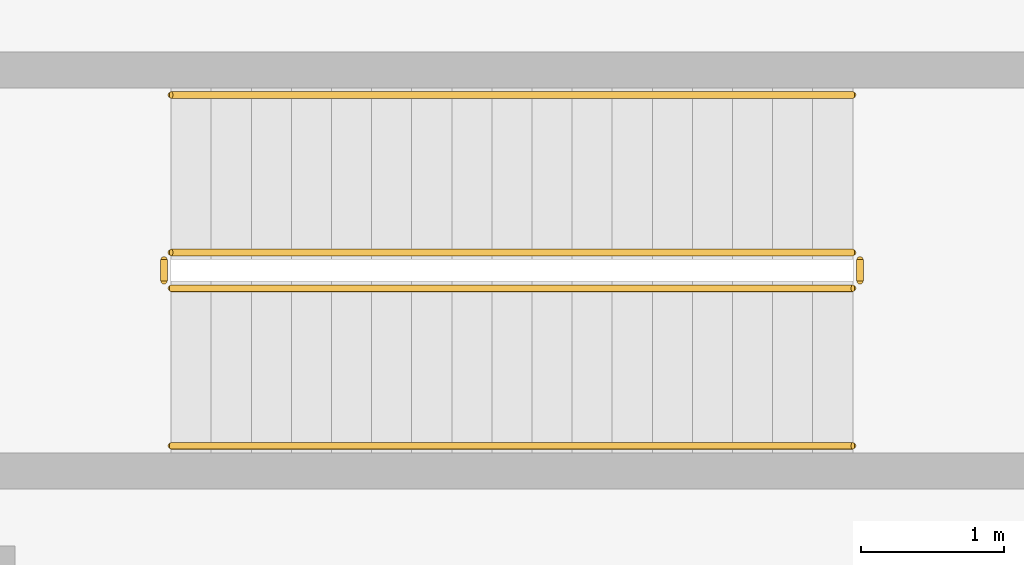
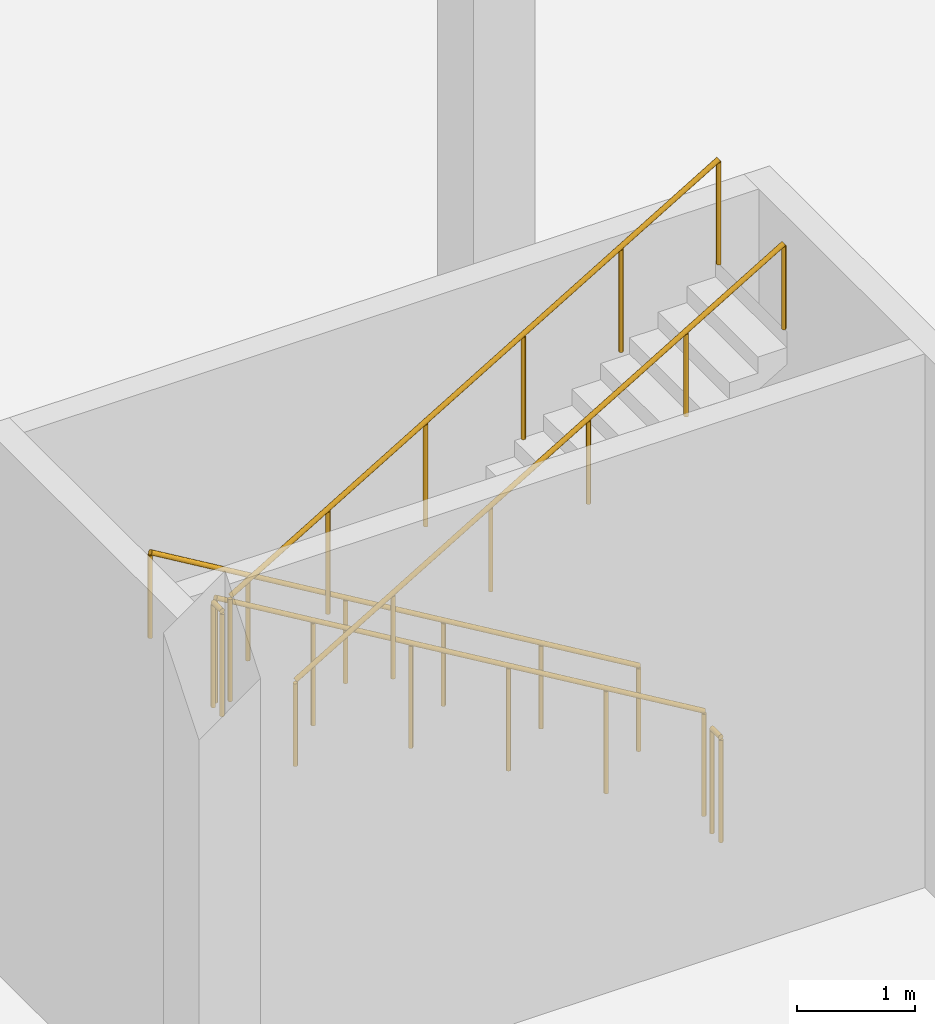
# One storey, part 41 of 45: 6 railings.
"""IFC4 building model written with IfcOpenShell, lengths in metres."""

from ifc_helpers import new_model, si_unit, direction, frame, origin, origin_2d, place, context, subcontext, project, spatial, circle, extrude, material, type_object, element, save


model = new_model("IFC4")

# Units and contexts
model_context = context("Model", 3, precision=1e-05, world=origin(), true_north=direction((0.0, 1.0)))
body_context = subcontext(model_context, "Body", "Model", "MODEL_VIEW")
ifc_project = project(units=[si_unit("LENGTHUNIT", "METRE"), si_unit("AREAUNIT", "SQUARE_METRE"), si_unit("VOLUMEUNIT", "CUBIC_METRE"), si_unit("PLANEANGLEUNIT", "RADIAN"), si_unit("MASSUNIT", "GRAM", prefix="KILO")], contexts=[model_context])

# Site, building, storey
site_placement = place(None, origin())
site = spatial("IfcSite", under=ifc_project, at=site_placement, CompositionType="ELEMENT")
building_placement = place(site_placement, origin())
building = spatial("IfcBuilding", under=site, at=building_placement, Name="Tamorin Gate", CompositionType="ELEMENT")
storey_placement = place(building_placement, frame((0.0, 0.0, -6.0)))
storey = spatial("IfcBuildingStorey", under=building, at=storey_placement, Name="B1", CompositionType="ELEMENT", Elevation=-6.0)

# Railings
ifc_material = material(Name="Steel, galvanised", Category="steel")
railing_type_1 = type_object("IfcRailingType", Name="Steel guard 1100", PredefinedType="GUARDRAIL", material=ifc_material)
railing_1_placement = place(storey_placement, frame((225.64990234375, 15.64990234375, 0.166748046875)))
element("IfcRailing", 1, at=railing_1_placement, inside=storey, type_object=railing_type_1, Name="B1 SB8 stair guard 1", PredefinedType="GUARDRAIL", context=body_context, shape_type="SweptSolid", body=[
    extrude(circle(Radius=0.02392578125, at=origin_2d()), frame((0.0, 0.0, 1.076171875), z_axis=(-0.859299802514, 0.0, 0.511472237174), x_axis=(0.0, -1.0, 0.0)), (0.0, 0.0, 1.0), 5.539306640625),
    extrude(circle(Radius=0.02099609375, at=origin_2d()), origin(), (0.0, 0.0, 1.0), 1.052001953125),
    extrude(circle(Radius=0.02099609375, at=origin_2d()), frame((-0.951904296875, 0.0, 0.566650390625)), (0.0, 0.0, 1.0), 1.052001953125),
    extrude(circle(Radius=0.02099609375, at=origin_2d()), frame((-1.904052734375, 0.0, 1.13330078125)), (0.0, 0.0, 1.0), 1.052001953125),
    extrude(circle(Radius=0.02099609375, at=origin_2d()), frame((-2.85595703125, 0.0, 1.699951171875)), (0.0, 0.0, 1.0), 1.052001953125),
    extrude(circle(Radius=0.02099609375, at=origin_2d()), frame((-3.80810546875, 0.0, 2.2666015625)), (0.0, 0.0, 1.0), 1.052001953125),
    extrude(circle(Radius=0.02099609375, at=origin_2d()), frame((-4.760009765625, 0.0, 2.833251953125)), (0.0, 0.0, 1.0), 1.052001953125),
])
railing_2_placement = place(storey_placement, frame((220.840087890625, 15.60009765625, 3.0)))
element("IfcRailing", 2, at=railing_2_placement, inside=storey, type_object=railing_type_1, Name="B1 SB8 stair guard 2", PredefinedType="GUARDRAIL", context=body_context, shape_type="SweptSolid", body=[
    extrude(circle(Radius=0.02392578125, at=origin_2d()), frame((0.0, 0.0, 1.076171875), z_axis=(0.0, -1.0, 0.0), x_axis=(1.0, 0.0, 0.0)), (0.0, 0.0, 1.0), 0.150146484375),
    extrude(circle(Radius=0.02099609375, at=origin_2d()), origin(), (0.0, 0.0, 1.0), 1.052001953125),
    extrude(circle(Radius=0.02099609375, at=origin_2d()), frame((0.0, -0.150146484375, 0.0)), (0.0, 0.0, 1.0), 1.052001953125),
])
railing_3_placement = place(storey_placement, frame((220.889892578125, 15.39990234375, 3.166748046875)))
element("IfcRailing", 3, at=railing_3_placement, inside=storey, type_object=railing_type_1, Name="B1 SB8 stair guard 3", PredefinedType="GUARDRAIL", context=body_context, shape_type="SweptSolid", body=[
    extrude(circle(Radius=0.02392578125, at=origin_2d()), frame((0.0, 0.0, 1.076171875), z_axis=(0.859299802514, 0.0, 0.511472237174), x_axis=(0.0, 1.0, 0.0)), (0.0, 0.0, 1.0), 5.539306640625),
    extrude(circle(Radius=0.02099609375, at=origin_2d()), origin(), (0.0, 0.0, 1.0), 1.052001953125),
    extrude(circle(Radius=0.02099609375, at=origin_2d()), frame((0.951904296875, 0.0, 0.566650390625)), (0.0, 0.0, 1.0), 1.052001953125),
    extrude(circle(Radius=0.02099609375, at=origin_2d()), frame((1.904052734375, 0.0, 1.13330078125)), (0.0, 0.0, 1.0), 1.052001953125),
    extrude(circle(Radius=0.02099609375, at=origin_2d()), frame((2.85595703125, 0.0, 1.699951171875)), (0.0, 0.0, 1.0), 1.052001953125),
    extrude(circle(Radius=0.02099609375, at=origin_2d()), frame((3.80810546875, 0.0, 2.2666015625)), (0.0, 0.0, 1.0), 1.052001953125),
    extrude(circle(Radius=0.02099609375, at=origin_2d()), frame((4.760009765625, 0.0, 2.833251953125)), (0.0, 0.0, 1.0), 1.052001953125),
])
railing_4_placement = place(storey_placement, frame((225.699951171875, 15.60009765625, 0.0)))
element("IfcRailing", 4, at=railing_4_placement, inside=storey, type_object=railing_type_1, Name="B1 SB8 stair guard 4", PredefinedType="GUARDRAIL", context=body_context, shape_type="SweptSolid", body=[
    extrude(circle(Radius=0.02392578125, at=origin_2d()), frame((0.0, 0.0, 1.076171875), z_axis=(0.0, -1.0, 0.0), x_axis=(1.0, 0.0, 0.0)), (0.0, 0.0, 1.0), 0.150146484375),
    extrude(circle(Radius=0.02099609375, at=origin_2d()), origin(), (0.0, 0.0, 1.0), 1.052001953125),
    extrude(circle(Radius=0.02099609375, at=origin_2d()), frame((0.0, -0.150146484375, 0.0)), (0.0, 0.0, 1.0), 1.052001953125),
])
railing_type_2 = type_object("IfcRailingType", Name="Steel handrail 900", PredefinedType="HANDRAIL", material=ifc_material)
railing_5_placement = place(storey_placement, frame((225.64990234375, 16.75, 0.166748046875)))
element("IfcRailing", 5, at=railing_5_placement, inside=storey, type_object=railing_type_2, Name="B1 SB8 stair handrail 1", PredefinedType="HANDRAIL", context=body_context, shape_type="SweptSolid", body=[
    extrude(circle(Radius=0.02392578125, at=origin_2d()), frame((0.0, 0.0, 0.8759765625), z_axis=(-0.859299802514, 0.0, 0.511472237174), x_axis=(0.0, -1.0, 0.0)), (0.0, 0.0, 1.0), 5.539306640625),
    extrude(circle(Radius=0.02099609375, at=origin_2d()), origin(), (0.0, 0.0, 1.0), 0.851806640625),
    extrude(circle(Radius=0.02099609375, at=origin_2d()), frame((-0.951904296875, 0.0, 0.566650390625)), (0.0, 0.0, 1.0), 0.851806640625),
    extrude(circle(Radius=0.02099609375, at=origin_2d()), frame((-1.904052734375, 0.0, 1.13330078125)), (0.0, 0.0, 1.0), 0.851806640625),
    extrude(circle(Radius=0.02099609375, at=origin_2d()), frame((-2.85595703125, 0.0, 1.699951171875)), (0.0, 0.0, 1.0), 0.851806640625),
    extrude(circle(Radius=0.02099609375, at=origin_2d()), frame((-3.80810546875, 0.0, 2.2666015625)), (0.0, 0.0, 1.0), 0.851806640625),
    extrude(circle(Radius=0.02099609375, at=origin_2d()), frame((-4.760009765625, 0.0, 2.833251953125)), (0.0, 0.0, 1.0), 0.851806640625),
])
railing_6_placement = place(storey_placement, frame((220.889892578125, 14.300048828125, 3.166748046875)))
element("IfcRailing", 6, at=railing_6_placement, inside=storey, type_object=railing_type_2, Name="B1 SB8 stair handrail 2", PredefinedType="HANDRAIL", context=body_context, shape_type="SweptSolid", body=[
    extrude(circle(Radius=0.02392578125, at=origin_2d()), frame((0.0, 0.0, 0.8759765625), z_axis=(0.859299802514, 0.0, 0.511472237174), x_axis=(0.0, 1.0, 0.0)), (0.0, 0.0, 1.0), 5.539306640625),
    extrude(circle(Radius=0.02099609375, at=origin_2d()), origin(), (0.0, 0.0, 1.0), 0.851806640625),
    extrude(circle(Radius=0.02099609375, at=origin_2d()), frame((0.951904296875, 0.0, 0.566650390625)), (0.0, 0.0, 1.0), 0.851806640625),
    extrude(circle(Radius=0.02099609375, at=origin_2d()), frame((1.904052734375, 0.0, 1.13330078125)), (0.0, 0.0, 1.0), 0.851806640625),
    extrude(circle(Radius=0.02099609375, at=origin_2d()), frame((2.85595703125, 0.0, 1.699951171875)), (0.0, 0.0, 1.0), 0.851806640625),
    extrude(circle(Radius=0.02099609375, at=origin_2d()), frame((3.80810546875, 0.0, 2.2666015625)), (0.0, 0.0, 1.0), 0.851806640625),
    extrude(circle(Radius=0.02099609375, at=origin_2d()), frame((4.760009765625, 0.0, 2.833251953125)), (0.0, 0.0, 1.0), 0.851806640625),
])

save(model, "model.ifc")
